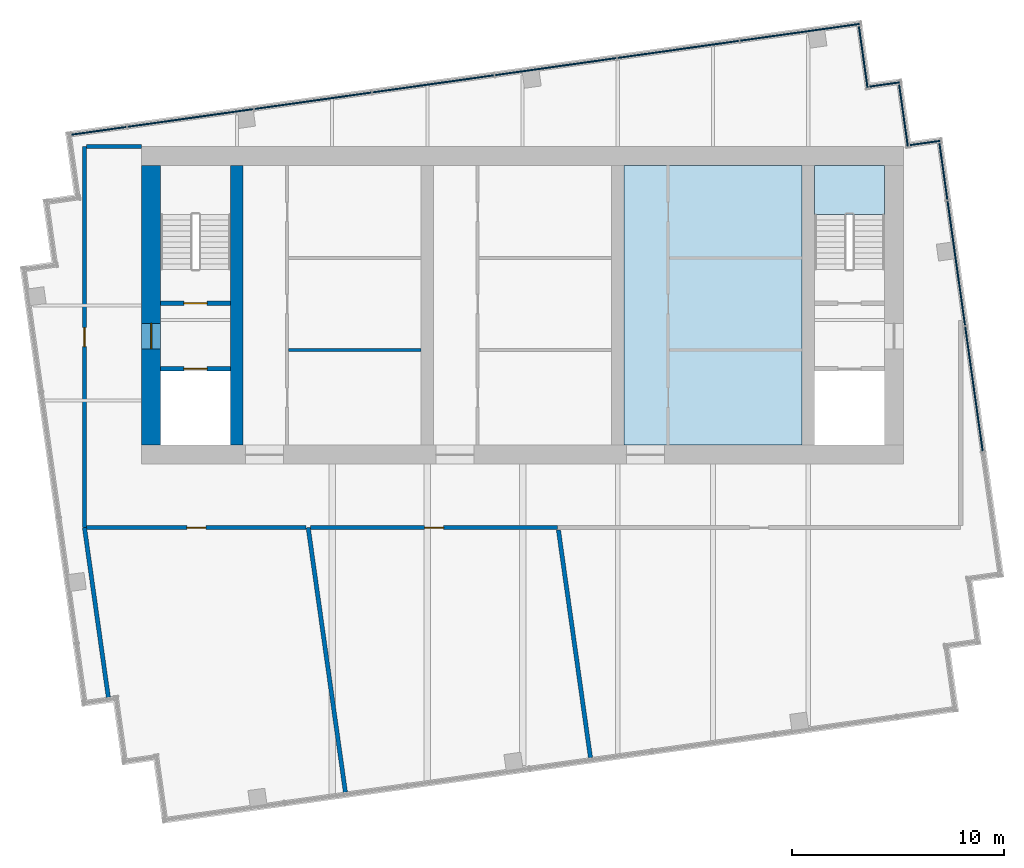
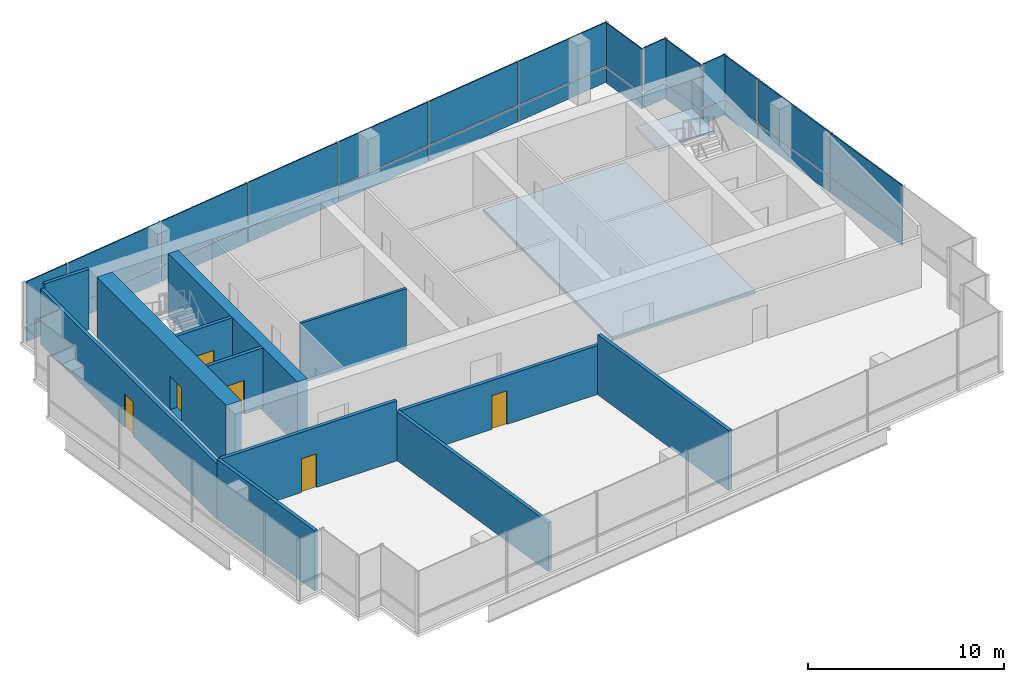
# One storey, part 7 of 9: 28 plates, 12 walls, 6 doors, 2 slabs, 6 openings, 7 elements without a shape of their own.
"""IFC4 building model written with IfcOpenShell, lengths in metres."""

from ifc_helpers import new_model, si_unit, direction, frame, frame_2d, origin, origin_2d, place, context, subcontext, project, spatial, polyline, rectangle, outline, extrude, material, layer, layer_set, type_object, element, fill, aggregate, save


model = new_model("IFC4")

# Units and contexts
model_context = context("Model", 3, precision=1e-05, world=origin(), true_north=direction((0.0, 1.0)))
body_context = subcontext(model_context, "Body", "Model", "MODEL_VIEW")
ifc_project = project(units=[si_unit("LENGTHUNIT", "METRE"), si_unit("AREAUNIT", "SQUARE_METRE"), si_unit("VOLUMEUNIT", "CUBIC_METRE"), si_unit("PLANEANGLEUNIT", "RADIAN"), si_unit("MASSUNIT", "GRAM", prefix="KILO")], contexts=[model_context])

# Site, building, storey
site_placement = place(None, origin())
site = spatial("IfcSite", under=ifc_project, at=site_placement, CompositionType="ELEMENT")
building_placement = place(site_placement, origin())
building = spatial("IfcBuilding", under=site, at=building_placement, Name="Rattan Terrace Tower", CompositionType="ELEMENT")
storey_placement = place(building_placement, frame((0.0, 0.0, 312.300048828125)))
storey = spatial("IfcBuildingStorey", under=building, at=storey_placement, Name="C06", CompositionType="ELEMENT", Elevation=312.300048828125)

# Stair, slab
ifc_material_1 = material(Name="Concrete C40/50", Category="concrete")
stair_type = type_object("IfcStairType", Name="Core exit stair 1500", PredefinedType="HALF_TURN_STAIR", material=ifc_material_1)
stair_placement = place(storey_placement, origin())
stair = element("IfcStair", 1, at=stair_placement, inside=storey, type_object=stair_type, Name="C06 exit stair 2", PredefinedType="HALF_TURN_STAIR")
ifc_material_2 = material(Name="Concrete C40/50", Category="concrete")
ifc_layer_1 = layer(ifc_material_2, 0.199951171875)
ifc_layer_set_1 = layer_set([ifc_layer_1], Name="Core exit stair landing")
slab_type_1 = type_object("IfcSlabType", Name="Core exit stair landing", PredefinedType="LANDING", material=ifc_layer_set_1)
slab_1_placement = place(storey_placement, frame((0.0, 0.0, 1.800048828125)))
slab_1 = element("IfcSlab", 2, at=slab_1_placement, type_object=slab_type_1, Name="S2 landing 1", PredefinedType="LANDING", context=body_context, shape_type="SweptSolid", body=[
    extrude(outline(polyline([(17.10009765625, 4.300048828125), (17.10009765625, 6.60009765625), (13.800048828125, 6.60009765625), (13.800048828125, 4.300048828125), (17.10009765625, 4.300048828125)])), origin(), (0.0, 0.0, 1.0), 0.199951171875),
])
aggregate(stair, [slab_1])

# Slab
ifc_material_3 = material(Name="Concrete C35/45", Category="concrete")
ifc_layer_2 = layer(ifc_material_3, 0.199951171875)
ifc_layer_set_2 = layer_set([ifc_layer_2], Name="Frame composite floor slab 200")
slab_type_2 = type_object("IfcSlabType", Name="Frame composite floor slab 200", PredefinedType="FLOOR", material=ifc_layer_set_2)
slab_2_placement = place(storey_placement, frame((0.0, 0.0, -0.199951171875)))
element("IfcSlab", 3, at=slab_2_placement, inside=storey, type_object=slab_type_2, Name="Floor slab", PredefinedType="FLOOR", context=body_context, shape_type="SweptSolid", body=[
    extrude(outline(polyline([(4.800048828125, -6.60009765625), (13.199951171875, -6.60009765625), (13.199951171875, 6.60009765625), (4.800048828125, 6.60009765625), (4.800048828125, -6.60009765625)])), origin(), (0.0, 0.0, 1.0), 0.199951171875),
])

# Curtain wall, plates
ifc_material_4 = material(Name="Aluminium and laminated glass", Category="aluminium")
ifc_layer_3 = layer(ifc_material_4, 0.239990234375)
ifc_layer_set_3 = layer_set([ifc_layer_3], Name="Lantern Stick Curtain Wall")
curtain_wall_type = type_object("IfcCurtainWallType", Name="Lantern Stick Curtain Wall", PredefinedType="NOTDEFINED", material=ifc_layer_set_3)
curtain_wall_1_placement = place(storey_placement, origin())
curtain_wall_1 = element("IfcCurtainWall", 4, at=curtain_wall_1_placement, inside=storey, type_object=curtain_wall_type, Name="Lantern curtain wall C06-11", PredefinedType="NOTDEFINED")
ifc_material_5 = material(Name="Laminated low-iron glass", Category="glass")
ifc_layer_4 = layer(ifc_material_5, 0.06591796875)
ifc_layer_set_4 = layer_set([ifc_layer_4], Name="Lantern CW Laminated Panel")
plate_type = type_object("IfcPlateType", Name="Lantern CW Laminated Panel", PredefinedType="CURTAIN_PANEL", material=ifc_layer_set_4)
plate_1_placement = place(storey_placement, frame((21.325927734375, -3.9482421875, 0.0), z_axis=(0.0, 0.0, 1.0), x_axis=(-0.139187707455, 0.990266015823, 0.0)))
plate_1 = element("IfcPlate", 5, at=plate_1_placement, type_object=plate_type, Name="Panel cwl-C06-011.2.1", PredefinedType="CURTAIN_PANEL", context=body_context, shape_type="SweptSolid", body=[
    extrude(rectangle(XDim=5.929931640625, YDim=0.06591796875, at=origin_2d()), origin(), (0.0, 0.0, 1.0), 0.949951171875),
])
plate_2_placement = place(storey_placement, frame((21.325927734375, -3.9482421875, 1.0498046875), z_axis=(0.0, 0.0, 1.0), x_axis=(-0.139187707455, 0.990266015823, 0.0)))
plate_2 = element("IfcPlate", 6, at=plate_2_placement, type_object=plate_type, Name="Panel cwl-C06-011.2.2", PredefinedType="CURTAIN_PANEL", context=body_context, shape_type="SweptSolid", body=[
    extrude(rectangle(XDim=5.929931640625, YDim=0.06591796875, at=origin_2d()), origin(), (0.0, 0.0, 1.0), 2.699951171875),
])
plate_3_placement = place(storey_placement, frame((20.49072265625, 1.993408203125, 0.0), z_axis=(0.0, 0.0, 1.0), x_axis=(-0.139187707455, 0.990266015823, 0.0)))
plate_3 = element("IfcPlate", 7, at=plate_3_placement, type_object=plate_type, Name="Panel cwl-C06-011.3.1", PredefinedType="CURTAIN_PANEL", context=body_context, shape_type="SweptSolid", body=[
    extrude(rectangle(XDim=5.929931640625, YDim=0.06591796875, at=origin_2d()), origin(), (0.0, 0.0, 1.0), 0.949951171875),
])
plate_4_placement = place(storey_placement, frame((20.49072265625, 1.993408203125, 1.0498046875), z_axis=(0.0, 0.0, 1.0), x_axis=(-0.139187707455, 0.990266015823, 0.0)))
plate_4 = element("IfcPlate", 8, at=plate_4_placement, type_object=plate_type, Name="Panel cwl-C06-011.3.2", PredefinedType="CURTAIN_PANEL", context=body_context, shape_type="SweptSolid", body=[
    extrude(rectangle(XDim=5.929931640625, YDim=0.06591796875, at=origin_2d()), origin(), (0.0, 0.0, 1.0), 2.699951171875),
])
plate_5_placement = place(storey_placement, frame((19.88232421875, 6.323486328125, 0.0), z_axis=(0.0, 0.0, 1.0), x_axis=(-0.139187707455, 0.990266015823, 0.0)))
plate_5 = element("IfcPlate", 9, at=plate_5_placement, type_object=plate_type, Name="Panel cwl-C06-011.4.1", PredefinedType="CURTAIN_PANEL", context=body_context, shape_type="SweptSolid", body=[
    extrude(rectangle(XDim=2.67529296875, YDim=0.06591796875, at=origin_2d()), origin(), (0.0, 0.0, 1.0), 0.949951171875),
])
plate_6_placement = place(storey_placement, frame((19.88232421875, 6.323486328125, 1.0498046875), z_axis=(0.0, 0.0, 1.0), x_axis=(-0.139187707455, 0.990266015823, 0.0)))
plate_6 = element("IfcPlate", 10, at=plate_6_placement, type_object=plate_type, Name="Panel cwl-C06-011.4.2", PredefinedType="CURTAIN_PANEL", context=body_context, shape_type="SweptSolid", body=[
    extrude(rectangle(XDim=2.67529296875, YDim=0.06591796875, at=origin_2d()), origin(), (0.0, 0.0, 1.0), 2.699951171875),
])
aggregate(curtain_wall_1, [plate_1, plate_2, plate_3, plate_4, plate_5, plate_6])

curtain_wall_2_placement = place(storey_placement, origin())
curtain_wall_2 = element("IfcCurtainWall", 11, at=curtain_wall_2_placement, inside=storey, type_object=curtain_wall_type, Name="Lantern curtain wall C06-12", PredefinedType="NOTDEFINED")
plate_7_placement = place(storey_placement, frame((19.021484375, 7.67431640625, 0.0), z_axis=(0.0, 0.0, 1.0), x_axis=(-0.990227803001, -0.139459306479, 0.0)))
plate_7 = element("IfcPlate", 12, at=plate_7_placement, type_object=plate_type, Name="Panel cwl-C06-012.1.1", PredefinedType="CURTAIN_PANEL", context=body_context, shape_type="SweptSolid", body=[
    extrude(rectangle(XDim=1.428466796875, YDim=0.06591796875, at=origin_2d()), origin(), (0.0, 0.0, 1.0), 0.949951171875),
])
plate_8_placement = place(storey_placement, frame((19.021484375, 7.67431640625, 1.0498046875), z_axis=(0.0, 0.0, 1.0), x_axis=(-0.990227803001, -0.139459306479, 0.0)))
plate_8 = element("IfcPlate", 13, at=plate_8_placement, type_object=plate_type, Name="Panel cwl-C06-012.1.2", PredefinedType="CURTAIN_PANEL", context=body_context, shape_type="SweptSolid", body=[
    extrude(rectangle(XDim=1.428466796875, YDim=0.06591796875, at=origin_2d()), origin(), (0.0, 0.0, 1.0), 2.699951171875),
])
aggregate(curtain_wall_2, [plate_7, plate_8])

curtain_wall_3_placement = place(storey_placement, origin())
curtain_wall_3 = element("IfcCurtainWall", 14, at=curtain_wall_3_placement, inside=storey, type_object=curtain_wall_type, Name="Lantern curtain wall C06-13", PredefinedType="NOTDEFINED")
plate_9_placement = place(storey_placement, frame((17.997802734375, 8.96044921875, 0.0), z_axis=(0.0, 0.0, 1.0), x_axis=(-0.139555918709, 0.990214191755, 0.0)))
plate_9 = element("IfcPlate", 15, at=plate_9_placement, type_object=plate_type, Name="Panel cwl-C06-013.1.1", PredefinedType="CURTAIN_PANEL", context=body_context, shape_type="SweptSolid", body=[
    extrude(rectangle(XDim=2.932373046875, YDim=0.06591796875, at=origin_2d()), origin(), (0.0, 0.0, 1.0), 0.949951171875),
])
plate_10_placement = place(storey_placement, frame((17.997802734375, 8.96044921875, 1.0498046875), z_axis=(0.0, 0.0, 1.0), x_axis=(-0.139555918709, 0.990214191755, 0.0)))
plate_10 = element("IfcPlate", 16, at=plate_10_placement, type_object=plate_type, Name="Panel cwl-C06-013.1.2", PredefinedType="CURTAIN_PANEL", context=body_context, shape_type="SweptSolid", body=[
    extrude(rectangle(XDim=2.932373046875, YDim=0.06591796875, at=origin_2d()), origin(), (0.0, 0.0, 1.0), 2.699951171875),
])
aggregate(curtain_wall_3, [plate_9, plate_10])

curtain_wall_4_placement = place(storey_placement, origin())
curtain_wall_4 = element("IfcCurtainWall", 17, at=curtain_wall_4_placement, inside=storey, type_object=curtain_wall_type, Name="Lantern curtain wall C06-14", PredefinedType="NOTDEFINED")
plate_11_placement = place(storey_placement, frame((17.11865234375, 10.43896484375, 0.0), z_axis=(0.0, 0.0, 1.0), x_axis=(-0.990319742912, -0.13880492354, 0.0)))
plate_11 = element("IfcPlate", 18, at=plate_11_placement, type_object=plate_type, Name="Panel cwl-C06-014.1.1", PredefinedType="CURTAIN_PANEL", context=body_context, shape_type="SweptSolid", body=[
    extrude(rectangle(XDim=1.428466796875, YDim=0.06591796875, at=origin_2d()), origin(), (0.0, 0.0, 1.0), 0.949951171875),
])
plate_12_placement = place(storey_placement, frame((17.11865234375, 10.43896484375, 1.0498046875), z_axis=(0.0, 0.0, 1.0), x_axis=(-0.990319742912, -0.13880492354, 0.0)))
plate_12 = element("IfcPlate", 19, at=plate_12_placement, type_object=plate_type, Name="Panel cwl-C06-014.1.2", PredefinedType="CURTAIN_PANEL", context=body_context, shape_type="SweptSolid", body=[
    extrude(rectangle(XDim=1.428466796875, YDim=0.06591796875, at=origin_2d()), origin(), (0.0, 0.0, 1.0), 2.699951171875),
])
aggregate(curtain_wall_4, [plate_11, plate_12])

curtain_wall_5_placement = place(storey_placement, origin())
curtain_wall_5 = element("IfcCurtainWall", 20, at=curtain_wall_5_placement, inside=storey, type_object=curtain_wall_type, Name="Lantern curtain wall C06-15", PredefinedType="NOTDEFINED")
plate_13_placement = place(storey_placement, frame((16.09521484375, 11.723388671875, 0.0), z_axis=(0.0, 0.0, 1.0), x_axis=(-0.139413247769, 0.990234288614, 0.0)))
plate_13 = element("IfcPlate", 21, at=plate_13_placement, type_object=plate_type, Name="Panel cwl-C06-015.1.1", PredefinedType="CURTAIN_PANEL", context=body_context, shape_type="SweptSolid", body=[
    extrude(rectangle(XDim=2.92822265625, YDim=0.06591796875, at=origin_2d()), origin(), (0.0, 0.0, 1.0), 0.949951171875),
])
plate_14_placement = place(storey_placement, frame((16.09521484375, 11.723388671875, 1.0498046875), z_axis=(0.0, 0.0, 1.0), x_axis=(-0.139413247769, 0.990234288614, 0.0)))
plate_14 = element("IfcPlate", 22, at=plate_14_placement, type_object=plate_type, Name="Panel cwl-C06-015.1.2", PredefinedType="CURTAIN_PANEL", context=body_context, shape_type="SweptSolid", body=[
    extrude(rectangle(XDim=2.92822265625, YDim=0.06591796875, at=origin_2d()), origin(), (0.0, 0.0, 1.0), 2.699951171875),
])
aggregate(curtain_wall_5, [plate_13, plate_14])

curtain_wall_6_placement = place(storey_placement, origin())
curtain_wall_6 = element("IfcCurtainWall", 23, at=curtain_wall_6_placement, inside=storey, type_object=curtain_wall_type, Name="Lantern curtain wall C06-16", PredefinedType="NOTDEFINED")
plate_15_placement = place(storey_placement, frame((13.10595703125, 12.90283203125, 0.0), z_axis=(0.0, 0.0, 1.0), x_axis=(-0.990266952226, -0.13918104515, 0.0)))
plate_15 = element("IfcPlate", 24, at=plate_15_placement, type_object=plate_type, Name="Panel cwl-C06-016.1.1", PredefinedType="CURTAIN_PANEL", context=body_context, shape_type="SweptSolid", body=[
    extrude(rectangle(XDim=5.69091796875, YDim=0.06591796875, at=origin_2d()), origin(), (0.0, 0.0, 1.0), 0.949951171875),
])
plate_16_placement = place(storey_placement, frame((13.10595703125, 12.90283203125, 1.0498046875), z_axis=(0.0, 0.0, 1.0), x_axis=(-0.990266952226, -0.13918104515, 0.0)))
plate_16 = element("IfcPlate", 25, at=plate_16_placement, type_object=plate_type, Name="Panel cwl-C06-016.1.2", PredefinedType="CURTAIN_PANEL", context=body_context, shape_type="SweptSolid", body=[
    extrude(rectangle(XDim=5.69091796875, YDim=0.06591796875, at=origin_2d()), origin(), (0.0, 0.0, 1.0), 2.699951171875),
])
plate_17_placement = place(storey_placement, frame((7.359130859375, 12.09521484375, 0.0), z_axis=(0.0, 0.0, 1.0), x_axis=(-0.990266952226, -0.13918104515, 0.0)))
plate_17 = element("IfcPlate", 26, at=plate_17_placement, type_object=plate_type, Name="Panel cwl-C06-016.2.1", PredefinedType="CURTAIN_PANEL", context=body_context, shape_type="SweptSolid", body=[
    extrude(rectangle(XDim=5.77587890625, YDim=0.06591796875, at=origin_2d()), origin(), (0.0, 0.0, 1.0), 0.949951171875),
])
plate_18_placement = place(storey_placement, frame((7.359130859375, 12.09521484375, 1.0498046875), z_axis=(0.0, 0.0, 1.0), x_axis=(-0.990266952226, -0.13918104515, 0.0)))
plate_18 = element("IfcPlate", 27, at=plate_18_placement, type_object=plate_type, Name="Panel cwl-C06-016.2.2", PredefinedType="CURTAIN_PANEL", context=body_context, shape_type="SweptSolid", body=[
    extrude(rectangle(XDim=5.77587890625, YDim=0.06591796875, at=origin_2d()), origin(), (0.0, 0.0, 1.0), 2.699951171875),
])
plate_19_placement = place(storey_placement, frame((1.570068359375, 11.281494140625, 0.0), z_axis=(0.0, 0.0, 1.0), x_axis=(-0.990266952226, -0.13918104515, 0.0)))
plate_19 = element("IfcPlate", 28, at=plate_19_placement, type_object=plate_type, Name="Panel cwl-C06-016.3.1", PredefinedType="CURTAIN_PANEL", context=body_context, shape_type="SweptSolid", body=[
    extrude(rectangle(XDim=5.77587890625, YDim=0.06591796875, at=origin_2d()), origin(), (0.0, 0.0, 1.0), 0.949951171875),
])
plate_20_placement = place(storey_placement, frame((1.570068359375, 11.281494140625, 1.0498046875), z_axis=(0.0, 0.0, 1.0), x_axis=(-0.990266952226, -0.13918104515, 0.0)))
plate_20 = element("IfcPlate", 29, at=plate_20_placement, type_object=plate_type, Name="Panel cwl-C06-016.3.2", PredefinedType="CURTAIN_PANEL", context=body_context, shape_type="SweptSolid", body=[
    extrude(rectangle(XDim=5.77587890625, YDim=0.06591796875, at=origin_2d()), origin(), (0.0, 0.0, 1.0), 2.699951171875),
])
plate_21_placement = place(storey_placement, frame((-4.21923828125, 10.4677734375, 0.0), z_axis=(0.0, 0.0, 1.0), x_axis=(-0.990266952226, -0.13918104515, 0.0)))
plate_21 = element("IfcPlate", 30, at=plate_21_placement, type_object=plate_type, Name="Panel cwl-C06-016.4.1", PredefinedType="CURTAIN_PANEL", context=body_context, shape_type="SweptSolid", body=[
    extrude(rectangle(XDim=5.77587890625, YDim=0.06591796875, at=origin_2d()), origin(), (0.0, 0.0, 1.0), 0.949951171875),
])
plate_22_placement = place(storey_placement, frame((-4.21923828125, 10.4677734375, 1.0498046875), z_axis=(0.0, 0.0, 1.0), x_axis=(-0.990266952226, -0.13918104515, 0.0)))
plate_22 = element("IfcPlate", 31, at=plate_22_placement, type_object=plate_type, Name="Panel cwl-C06-016.4.2", PredefinedType="CURTAIN_PANEL", context=body_context, shape_type="SweptSolid", body=[
    extrude(rectangle(XDim=5.77587890625, YDim=0.06591796875, at=origin_2d()), origin(), (0.0, 0.0, 1.0), 2.699951171875),
])
plate_23_placement = place(storey_placement, frame((-9.900634765625, 9.66943359375, 0.0), z_axis=(0.0, 0.0, 1.0), x_axis=(-0.990266952226, -0.13918104515, 0.0)))
plate_23 = element("IfcPlate", 32, at=plate_23_placement, type_object=plate_type, Name="Panel cwl-C06-016.5.1", PredefinedType="CURTAIN_PANEL", context=body_context, shape_type="SweptSolid", body=[
    extrude(rectangle(XDim=5.55859375, YDim=0.06591796875, at=origin_2d()), origin(), (0.0, 0.0, 1.0), 0.949951171875),
])
plate_24_placement = place(storey_placement, frame((-9.900634765625, 9.66943359375, 1.0498046875), z_axis=(0.0, 0.0, 1.0), x_axis=(-0.990266952226, -0.13918104515, 0.0)))
plate_24 = element("IfcPlate", 33, at=plate_24_placement, type_object=plate_type, Name="Panel cwl-C06-016.5.2", PredefinedType="CURTAIN_PANEL", context=body_context, shape_type="SweptSolid", body=[
    extrude(rectangle(XDim=5.55859375, YDim=0.06591796875, at=origin_2d()), origin(), (0.0, 0.0, 1.0), 2.699951171875),
])
plate_25_placement = place(storey_placement, frame((-15.689697265625, 8.855712890625, 0.0), z_axis=(0.0, 0.0, 1.0), x_axis=(-0.990266952226, -0.13918104515, 0.0)))
plate_25 = element("IfcPlate", 34, at=plate_25_placement, type_object=plate_type, Name="Panel cwl-C06-016.6.1", PredefinedType="CURTAIN_PANEL", context=body_context, shape_type="SweptSolid", body=[
    extrude(rectangle(XDim=5.993408203125, YDim=0.06591796875, at=origin_2d()), origin(), (0.0, 0.0, 1.0), 0.949951171875),
])
plate_26_placement = place(storey_placement, frame((-15.689697265625, 8.855712890625, 1.0498046875), z_axis=(0.0, 0.0, 1.0), x_axis=(-0.990266952226, -0.13918104515, 0.0)))
plate_26 = element("IfcPlate", 35, at=plate_26_placement, type_object=plate_type, Name="Panel cwl-C06-016.6.2", PredefinedType="CURTAIN_PANEL", context=body_context, shape_type="SweptSolid", body=[
    extrude(rectangle(XDim=5.993408203125, YDim=0.06591796875, at=origin_2d()), origin(), (0.0, 0.0, 1.0), 2.699951171875),
])
plate_27_placement = place(storey_placement, frame((-20.013916015625, 8.248046875, 0.0), z_axis=(0.0, 0.0, 1.0), x_axis=(-0.990266952226, -0.13918104515, 0.0)))
plate_27 = element("IfcPlate", 36, at=plate_27_placement, type_object=plate_type, Name="Panel cwl-C06-016.7.1", PredefinedType="CURTAIN_PANEL", context=body_context, shape_type="SweptSolid", body=[
    extrude(rectangle(XDim=2.599853515625, YDim=0.06591796875, at=origin_2d()), origin(), (0.0, 0.0, 1.0), 0.949951171875),
])
plate_28_placement = place(storey_placement, frame((-20.013916015625, 8.248046875, 1.0498046875), z_axis=(0.0, 0.0, 1.0), x_axis=(-0.990266952226, -0.13918104515, 0.0)))
plate_28 = element("IfcPlate", 37, at=plate_28_placement, type_object=plate_type, Name="Panel cwl-C06-016.7.2", PredefinedType="CURTAIN_PANEL", context=body_context, shape_type="SweptSolid", body=[
    extrude(rectangle(XDim=2.599853515625, YDim=0.06591796875, at=origin_2d()), origin(), (0.0, 0.0, 1.0), 2.699951171875),
])
aggregate(curtain_wall_6, [plate_15, plate_16, plate_17, plate_18, plate_19, plate_20, plate_21, plate_22, plate_23, plate_24, plate_25, plate_26, plate_27, plate_28])

# Wall
ifc_material_6 = material(Name="Gypsum board partition")
ifc_layer_5 = layer(ifc_material_6, 0.14990234375)
ifc_layer_set_5 = layer_set([ifc_layer_5], Name="Core partition 150")
wall_type_1 = type_object("IfcWallType", Name="Core partition 150", PredefinedType="PARTITIONING", material=ifc_layer_set_5)
wall_1_placement = place(storey_placement, frame((-11.050048828125, -2.112060546875, 0.0), z_axis=(0.0, 0.0, 1.0), x_axis=(1.0, 0.0, 0.0)))
element("IfcWall", 38, at=wall_1_placement, inside=storey, type_object=wall_type_1, Name="Core room wall", PredefinedType="PARTITIONING", context=body_context, shape_type="SweptSolid", body=[
    extrude(rectangle(XDim=6.25, YDim=0.14990234375, at=frame_2d((3.125, 0.0))), origin(), (0.0, 0.0, 1.0), 3.75),
])

# Wall, opening, door
ifc_material_7 = material(Name="Gypsum board partition")
ifc_layer_6 = layer(ifc_material_7, 0.199951171875)
ifc_layer_set_6 = layer_set([ifc_layer_6], Name="Core partition 200")
wall_type_2 = type_object("IfcWallType", Name="Core partition 200", PredefinedType="PARTITIONING", material=ifc_layer_set_6)
wall_2_placement = place(storey_placement, frame((-17.10009765625, -3.0, 0.0), z_axis=(0.0, 0.0, 1.0), x_axis=(1.0, 0.0, 0.0)))
wall_2 = element("IfcWall", 39, at=wall_2_placement, inside=storey, type_object=wall_type_2, Name="Fire-fighting lobby wall", PredefinedType="PARTITIONING", context=body_context, shape_type="SweptSolid", body=[
    extrude(rectangle(XDim=3.300048828125, YDim=0.199951171875, at=frame_2d((1.64990234375, 0.0))), origin(), (0.0, 0.0, 1.0), 3.75),
])
opening_1_placement = place(wall_2_placement, frame((1.10009765625, 0.0, 0.0)))
opening_1 = element("IfcOpeningElement", 40, at=opening_1_placement, cuts=wall_2, Name="Opening C06-LD-FF1", PredefinedType="OPENING", context=body_context, shape_type="SweptSolid", body=[
    extrude(rectangle(XDim=1.10009765625, YDim=2.10009765625, at=frame_2d((0.550048828125, 1.050048828125))), frame((0.0, 0.110595703125, 0.0), z_axis=(0.0, -1.0, 0.0), x_axis=(1.0, 0.0, 0.0)), (0.0, 0.0, 1.0), 0.220947265625),
])
ifc_material_8 = material(Name="Brushed stainless landing door panel")
door_type_1 = type_object("IfcDoorType", Name="Core lift landing door 1100", OperationType="DOUBLE_DOOR_SLIDING", PredefinedType="DOOR", material=ifc_material_8)
door_1_placement = place(opening_1_placement, origin())
door_1 = element("IfcDoor", 41, at=door_1_placement, inside=storey, type_object=door_type_1, Name="Door C06-LD-FF1", OperationType="DOUBLE_DOOR_SLIDING", OverallHeight=2.10009765625, OverallWidth=1.10009765625, PredefinedType="DOOR", context=body_context, shape_type="SweptSolid", body=[
    extrude(rectangle(XDim=1.10009765625, YDim=2.10009765625, at=frame_2d((0.550048828125, 1.050048828125))), frame((0.0, 0.02490234375, 0.0), z_axis=(0.0, -1.0, 0.0), x_axis=(1.0, 0.0, 0.0)), (0.0, 0.0, 1.0), 0.050048828125),
])
fill(opening_1, door_1)

wall_3_placement = place(storey_placement, frame((-17.10009765625, 0.10009765625, 0.0), z_axis=(0.0, 0.0, 1.0), x_axis=(1.0, 0.0, 0.0)))
wall_3 = element("IfcWall", 42, at=wall_3_placement, inside=storey, type_object=wall_type_2, Name="Stair enclosure wall", PredefinedType="PARTITIONING", context=body_context, shape_type="SweptSolid", body=[
    extrude(rectangle(XDim=3.300048828125, YDim=0.199951171875, at=frame_2d((1.64990234375, 0.0))), origin(), (0.0, 0.0, 1.0), 3.75),
])
opening_2_placement = place(wall_3_placement, frame((1.10009765625, 0.0, 0.0)))
opening_2 = element("IfcOpeningElement", 43, at=opening_2_placement, cuts=wall_3, Name="Opening C06-D002", PredefinedType="OPENING", context=body_context, shape_type="SweptSolid", body=[
    extrude(rectangle(XDim=1.10009765625, YDim=2.10009765625, at=frame_2d((0.550048828125, 1.050048828125))), frame((0.0, 0.110595703125, 0.0), z_axis=(0.0, -1.0, 0.0), x_axis=(1.0, 0.0, 0.0)), (0.0, 0.0, 1.0), 0.220947265625),
])
ifc_material_9 = material(Name="Hollow-metal fire door leaf")
door_type_2 = type_object("IfcDoorType", Name="Core stair door 1100", OperationType="NOTDEFINED", PredefinedType="DOOR", material=ifc_material_9)
door_2_placement = place(opening_2_placement, origin())
door_2 = element("IfcDoor", 44, at=door_2_placement, inside=storey, type_object=door_type_2, Name="Door C06-D002", OperationType="SINGLE_SWING_RIGHT", OverallHeight=2.10009765625, OverallWidth=1.10009765625, PredefinedType="DOOR", context=body_context, shape_type="SweptSolid", body=[
    extrude(rectangle(XDim=1.10009765625, YDim=2.10009765625, at=frame_2d((0.550048828125, 1.050048828125))), frame((0.0, 0.02490234375, 0.0), z_axis=(0.0, -1.0, 0.0), x_axis=(1.0, 0.0, 0.0)), (0.0, 0.0, 1.0), 0.050048828125),
])
fill(opening_2, door_2)

ifc_material_10 = material(Name="Concrete C50/60", Category="concrete")
ifc_layer_7 = layer(ifc_material_10, 0.89990234375)
ifc_layer_set_7 = layer_set([ifc_layer_7], Name="Core ring wall 900 C50/60")
wall_type_3 = type_object("IfcWallType", Name="Core ring wall 900 C50/60", PredefinedType="SHEAR", material=ifc_layer_set_7)
wall_4_placement = place(storey_placement, frame((-17.550048828125, -6.60009765625, -0.199951171875), z_axis=(0.0, 0.0, 1.0), x_axis=(0.0, 1.0, 0.0)))
wall_4 = element("IfcWall", 45, at=wall_4_placement, inside=storey, type_object=wall_type_3, Name="Rear core wall west", PredefinedType="SHEAR", context=body_context, shape_type="SweptSolid", body=[
    extrude(rectangle(XDim=13.2001953125, YDim=0.89990234375, at=frame_2d((6.60009765625, 0.0))), origin(), (0.0, 0.0, 1.0), 3.949951171875),
])
opening_3_placement = place(wall_4_placement, frame((4.550048828125, 0.0, 0.199951171875)))
opening_3 = element("IfcOpeningElement", 46, at=opening_3_placement, cuts=wall_4, Name="Opening C06-D001", PredefinedType="OPENING", context=body_context, shape_type="SweptSolid", body=[
    extrude(rectangle(XDim=1.199951171875, YDim=2.10009765625, at=frame_2d((0.60009765625, 1.050048828125))), frame((0.0, 0.46044921875, 0.0), z_axis=(0.0, -1.0, 0.0), x_axis=(1.0, 0.0, 0.0)), (0.0, 0.0, 1.0), 0.9208984375),
])
ifc_material_11 = material(Name="Hollow-metal fire door leaf")
door_type_3 = type_object("IfcDoorType", Name="Core fire-fighting lobby door 1200", OperationType="NOTDEFINED", PredefinedType="DOOR", material=ifc_material_11)
door_3_placement = place(opening_3_placement, origin())
door_3 = element("IfcDoor", 47, at=door_3_placement, inside=storey, type_object=door_type_3, Name="Door C06-D001", OperationType="SINGLE_SWING_LEFT", OverallHeight=2.10009765625, OverallWidth=1.199951171875, PredefinedType="DOOR", context=body_context, shape_type="SweptSolid", body=[
    extrude(rectangle(XDim=1.199951171875, YDim=2.10009765625, at=frame_2d((0.60009765625, 1.050048828125))), frame((0.0, 0.02490234375, 0.0), z_axis=(0.0, -1.0, 0.0), x_axis=(1.0, 0.0, 0.0)), (0.0, 0.0, 1.0), 0.050048828125),
])
fill(opening_3, door_3)

# Wall
ifc_material_12 = material(Name="Concrete C50/60", Category="concrete")
ifc_layer_8 = layer(ifc_material_12, 0.60009765625)
ifc_layer_set_8 = layer_set([ifc_layer_8], Name="Core spine wall 600 C50/60")
wall_type_4 = type_object("IfcWallType", Name="Core spine wall 600 C50/60", PredefinedType="SHEAR", material=ifc_layer_set_8)
wall_5_placement = place(storey_placement, frame((-13.5, -6.60009765625, -0.199951171875), z_axis=(0.0, 0.0, 1.0), x_axis=(0.0, 1.0, 0.0)))
element("IfcWall", 48, at=wall_5_placement, inside=storey, type_object=wall_type_4, Name="Core spine wall 1", PredefinedType="SHEAR", context=body_context, shape_type="SweptSolid", body=[
    extrude(rectangle(XDim=13.2001953125, YDim=0.60009765625, at=frame_2d((6.60009765625, 0.0))), origin(), (0.0, 0.0, 1.0), 3.949951171875),
])

# Wall, opening, door
ifc_material_13 = material(Name="Concrete block wall, plastered", Category="concrete")
ifc_layer_9 = layer(ifc_material_13, 0.199951171875)
ifc_layer_set_9 = layer_set([ifc_layer_9], Name="Floors Plant Wall 200")
wall_type_5 = type_object("IfcWallType", Name="Floors Plant Wall 200", PredefinedType="PARTITIONING", material=ifc_layer_set_9)
wall_6_placement = place(storey_placement, frame((-10.22802734375, -10.5, 0.0), z_axis=(0.0, 0.0, 1.0), x_axis=(-1.0, 0.0, 0.0)))
wall_6 = element("IfcWall", 49, at=wall_6_placement, inside=storey, type_object=wall_type_5, Name="pt-C06-001", PredefinedType="PARTITIONING", context=body_context, shape_type="SweptSolid", body=[
    extrude(rectangle(XDim=10.3720703125, YDim=0.199951171875, at=frame_2d((5.18603515625, 0.0))), origin(), (0.0, 0.0, 1.0), 3.75),
])
opening_4_placement = place(wall_6_placement, frame((4.736083984375, 0.0, 0.0)))
opening_4 = element("IfcOpeningElement", 50, at=opening_4_placement, cuts=wall_6, Name="Opening C06-D100", PredefinedType="OPENING", context=body_context, shape_type="SweptSolid", body=[
    extrude(rectangle(XDim=0.89990234375, YDim=2.10009765625, at=frame_2d((0.449951171875, 1.050048828125))), frame((0.0, 0.110595703125, 0.0), z_axis=(0.0, -1.0, 0.0), x_axis=(1.0, 0.0, 0.0)), (0.0, 0.0, 1.0), 0.220947265625),
])
ifc_material_14 = material(Name="Steel fire door set", Category="steel")
door_type_4 = type_object("IfcDoorType", Name="Floors Fire Door FD60 900x2100", OperationType="NOTDEFINED", PredefinedType="DOOR", material=ifc_material_14)
door_4_placement = place(opening_4_placement, origin())
door_4 = element("IfcDoor", 51, at=door_4_placement, inside=storey, type_object=door_type_4, Name="d-C06-100", OperationType="SINGLE_SWING_LEFT", OverallHeight=2.10009765625, OverallWidth=0.89990234375, PredefinedType="DOOR", context=body_context, shape_type="SweptSolid", body=[
    extrude(rectangle(XDim=0.89990234375, YDim=2.10009765625, at=frame_2d((0.449951171875, 1.050048828125))), frame((0.0, 0.02490234375, 0.0), z_axis=(0.0, -1.0, 0.0), x_axis=(1.0, 0.0, 0.0)), (0.0, 0.0, 1.0), 0.050048828125),
])
fill(opening_4, door_4)

wall_7_placement = place(storey_placement, frame((1.658935546875, -10.5, 0.0), z_axis=(0.0, 0.0, 1.0), x_axis=(-1.0, 0.0, 0.0)))
wall_7 = element("IfcWall", 52, at=wall_7_placement, inside=storey, type_object=wall_type_5, Name="pt-C06-002", PredefinedType="PARTITIONING", context=body_context, shape_type="SweptSolid", body=[
    extrude(rectangle(XDim=11.6728515625, YDim=0.199951171875, at=frame_2d((5.83642578125, 0.0))), origin(), (0.0, 0.0, 1.0), 3.050048828125),
])
opening_5_placement = place(wall_7_placement, frame((5.385986328125, 0.0, 0.0)))
opening_5 = element("IfcOpeningElement", 53, at=opening_5_placement, cuts=wall_7, Name="Opening C06-D101", PredefinedType="OPENING", context=body_context, shape_type="SweptSolid", body=[
    extrude(rectangle(XDim=0.89990234375, YDim=2.10009765625, at=frame_2d((0.449951171875, 1.050048828125))), frame((0.0, 0.110595703125, 0.0), z_axis=(0.0, -1.0, 0.0), x_axis=(1.0, 0.0, 0.0)), (0.0, 0.0, 1.0), 0.220947265625),
])
door_5_placement = place(opening_5_placement, origin())
door_5 = element("IfcDoor", 54, at=door_5_placement, inside=storey, type_object=door_type_4, Name="d-C06-101", OperationType="SINGLE_SWING_RIGHT", OverallHeight=2.10009765625, OverallWidth=0.89990234375, PredefinedType="DOOR", context=body_context, shape_type="SweptSolid", body=[
    extrude(rectangle(XDim=0.89990234375, YDim=2.10009765625, at=frame_2d((0.449951171875, 1.050048828125))), frame((0.0, 0.02490234375, 0.0), z_axis=(0.0, -1.0, 0.0), x_axis=(1.0, 0.0, 0.0)), (0.0, 0.0, 1.0), 0.050048828125),
])
fill(opening_5, door_5)

wall_8_placement = place(storey_placement, frame((-20.699951171875, -10.5, 0.0), z_axis=(0.0, 0.0, 1.0), x_axis=(0.0, 1.0, 0.0)))
wall_8 = element("IfcWall", 55, at=wall_8_placement, inside=storey, type_object=wall_type_5, Name="pt-C06-005", PredefinedType="PARTITIONING", context=body_context, shape_type="SweptSolid", body=[
    extrude(rectangle(XDim=18.0, YDim=0.199951171875, at=frame_2d((9.0, 0.0))), origin(), (0.0, 0.0, 1.0), 3.449951171875),
])
opening_6_placement = place(wall_8_placement, frame((8.550048828125, 0.0, 0.0)))
opening_6 = element("IfcOpeningElement", 56, at=opening_6_placement, cuts=wall_8, Name="Opening C06-D103", PredefinedType="OPENING", context=body_context, shape_type="SweptSolid", body=[
    extrude(rectangle(XDim=0.89990234375, YDim=2.10009765625, at=frame_2d((0.449951171875, 1.050048828125))), frame((0.0, 0.110595703125, 0.0), z_axis=(0.0, -1.0, 0.0), x_axis=(1.0, 0.0, 0.0)), (0.0, 0.0, 1.0), 0.220947265625),
])
door_6_placement = place(opening_6_placement, origin())
door_6 = element("IfcDoor", 57, at=door_6_placement, inside=storey, type_object=door_type_4, Name="d-C06-103", OperationType="SINGLE_SWING_RIGHT", OverallHeight=2.10009765625, OverallWidth=0.89990234375, PredefinedType="DOOR", context=body_context, shape_type="SweptSolid", body=[
    extrude(rectangle(XDim=0.89990234375, YDim=2.10009765625, at=frame_2d((0.449951171875, 1.050048828125))), frame((0.0, 0.02490234375, 0.0), z_axis=(0.0, -1.0, 0.0), x_axis=(1.0, 0.0, 0.0)), (0.0, 0.0, 1.0), 0.050048828125),
])
fill(opening_6, door_6)

# Walls
wall_9_placement = place(storey_placement, frame((-20.60009765625, 7.5009765625, 0.0), z_axis=(0.0, 0.0, 1.0), x_axis=(1.0, 0.0, 0.0)))
element("IfcWall", 58, at=wall_9_placement, inside=storey, type_object=wall_type_5, Name="pt-C06-006", PredefinedType="PARTITIONING", context=body_context, shape_type="SweptSolid", body=[
    extrude(rectangle(XDim=2.60009765625, YDim=0.199951171875, at=frame_2d((1.300048828125, 0.0))), origin(), (0.0, 0.0, 1.0), 3.75),
])
wall_10_placement = place(storey_placement, frame((-10.12890625, -10.5, 0.0), z_axis=(0.0, 0.0, 1.0), x_axis=(0.139201510054, -0.990264075688, 0.0)))
element("IfcWall", 59, at=wall_10_placement, inside=storey, type_object=wall_type_5, Name="pt-C06-007", PredefinedType="PARTITIONING", context=body_context, shape_type="SweptSolid", body=[
    extrude(rectangle(XDim=12.6279296875, YDim=0.199951171875, at=frame_2d((6.31396484375, 0.0))), origin(), (0.0, 0.0, 1.0), 3.050048828125),
])
wall_11_placement = place(storey_placement, frame((-19.572998046875, -18.52001953125, 0.0), z_axis=(0.0, 0.0, 1.0), x_axis=(-0.13915044451, 0.990271252634, 0.0)))
element("IfcWall", 60, at=wall_11_placement, inside=storey, type_object=wall_type_5, Name="pt-C06-008", PredefinedType="PARTITIONING", context=body_context, shape_type="SweptSolid", body=[
    extrude(rectangle(XDim=8.098876953125, YDim=0.199951171875, at=frame_2d((4.04931640625, 0.0))), origin(), (0.0, 0.0, 1.0), 3.75),
])
wall_12_placement = place(storey_placement, frame((1.695068359375, -10.614013671875, 0.0), z_axis=(0.0, 0.0, 1.0), x_axis=(0.139200796165, -0.990264176039, 0.0)))
element("IfcWall", 61, at=wall_12_placement, inside=storey, type_object=wall_type_5, Name="pt-C06-009", PredefinedType="PARTITIONING", context=body_context, shape_type="SweptSolid", body=[
    extrude(rectangle(XDim=10.86865234375, YDim=0.199951171875, at=frame_2d((5.434326171875, 0.0))), origin(), (0.0, 0.0, 1.0), 3.75),
])

save(model, "model.ifc")
